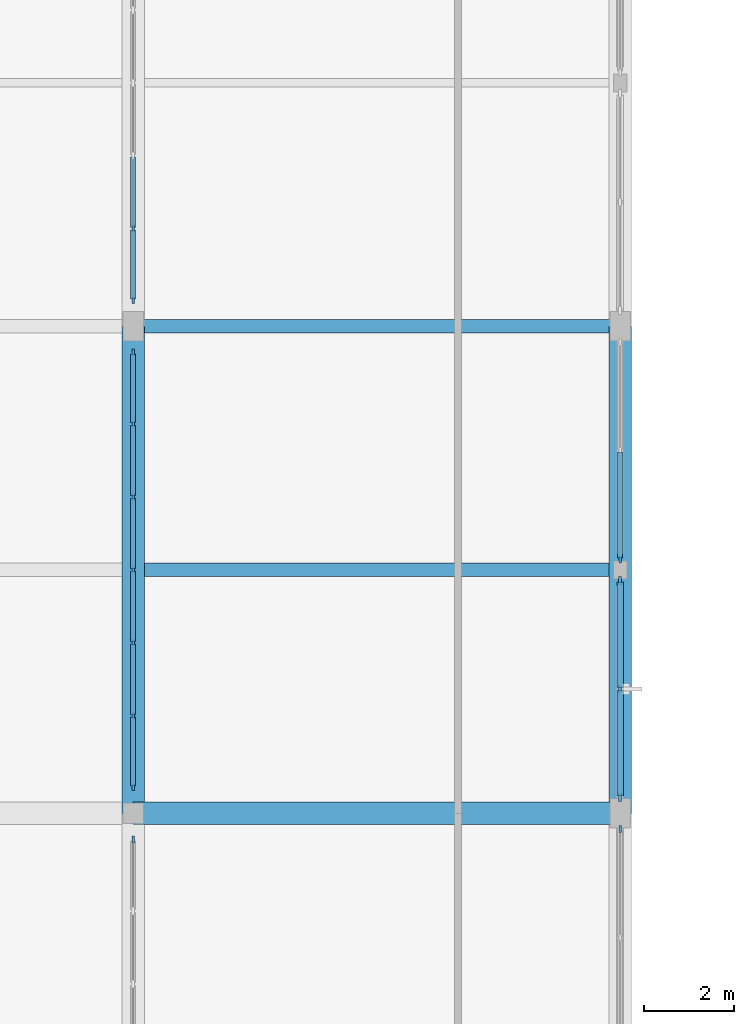
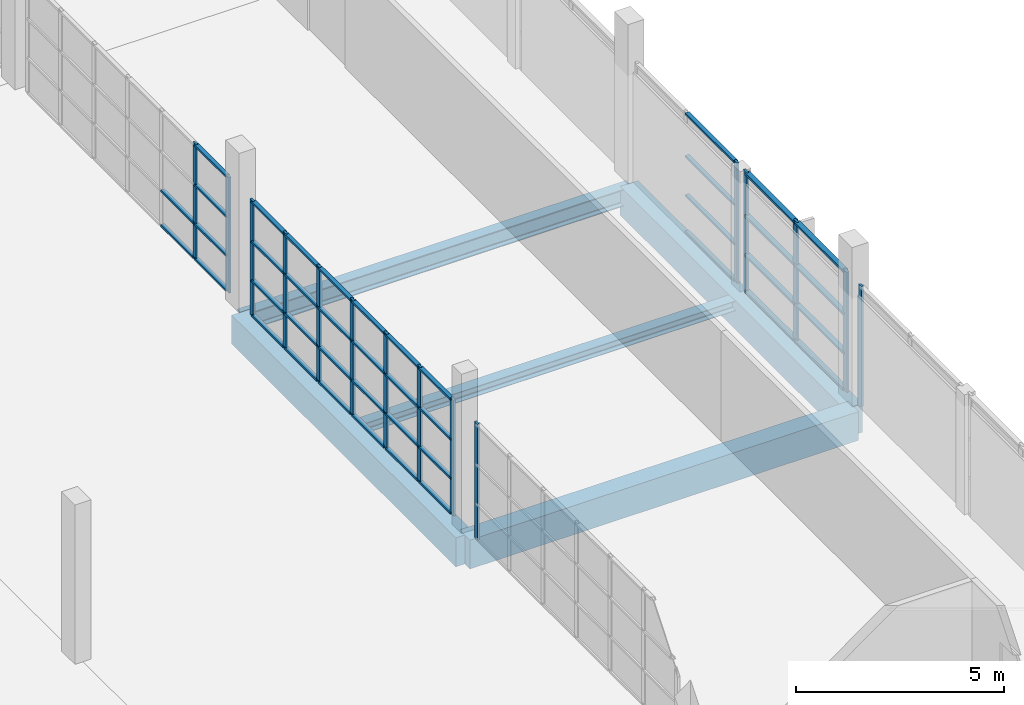
# One storey, part 18 of 142: 57 members, 5 beams, 6 elements without a shape of their own.
"""IFC4 building model written with IfcOpenShell, lengths in metres."""

import ifcopenshell
import ifcopenshell.guid

model = None  # the IFC model being written
_history = None  # IfcOwnerHistory: only IFC2X3 demands one
_inside = {}  # id of a spatial element -> (the spatial element, [elements in it])
_under = {}  # id of a project, library or spatial element -> (it, [spatial elements below it])
_declared = {}  # id of a project -> (the project, [libraries it declares])
_typed = {}  # id of a type object -> (the type object, [elements of that type])
_made_of = {}  # id of a material, layer set ... -> (it, [elements and type objects made of it])


def new_model(schema):
    """Start an empty IFC model of exactly this schema.

    Asked for "IFC4X3", IfcOpenShell would pick the latest addendum, in which some entities
    have other attributes; the version numbers below select the first issue.
    IFC2X3 requires an IfcOwnerHistory on every rooted entity: one is made here for all.
    """
    global model, _history
    if schema == "IFC4X3":
        model = ifcopenshell.file(schema_version=(4, 3, 0, 0))
    else:
        model = ifcopenshell.file(schema=schema)
    _inside.clear()
    _under.clear()
    _declared.clear()
    _typed.clear()
    _made_of.clear()
    _history = None
    if model.schema == "IFC2X3":
        org = make("IfcOrganization", Name="unknown")
        user = make(
            "IfcPersonAndOrganization",
            ThePerson=make("IfcPerson", FamilyName="unknown"),
            TheOrganization=org,
        )
        app = make(
            "IfcApplication",
            ApplicationDeveloper=org,
            Version="unknown",
            ApplicationFullName="unknown",
            ApplicationIdentifier="unknown",
        )
        _history = make(
            "IfcOwnerHistory",
            OwningUser=user,
            OwningApplication=app,
            ChangeAction="ADDED",
            CreationDate=0,
        )
    return model


def make(cls, **values):
    """One entity of the class cls with the attributes given. An attribute that is None is left unset."""
    return model.create_entity(
        cls, **{name: value for name, value in values.items() if value is not None}
    )


def rooted(cls, **values):
    """An entity with a GlobalId (a new one), such as an element, a storey or a relation."""
    return make(cls, GlobalId=ifcopenshell.guid.new(), OwnerHistory=_history, **values)


def si_unit(unit_type, name, prefix=None):
    """IfcSIUnit, for example si_unit("LENGTHUNIT", "METRE", prefix="MILLI")."""
    return make("IfcSIUnit", UnitType=unit_type, Prefix=prefix, Name=name)


def assignment(units):
    """IfcUnitAssignment: the units of a project."""
    return None if units is None else make("IfcUnitAssignment", Units=units)


def point(xyz):
    """IfcCartesianPoint."""
    return None if xyz is None else make("IfcCartesianPoint", Coordinates=xyz)


def direction(xyz):
    """IfcDirection."""
    return None if xyz is None else make("IfcDirection", DirectionRatios=xyz)


def frame(location, z_axis=None, x_axis=None):
    """IfcAxis2Placement3D, a coordinate frame: its origin and axes. An axis left out is left unset."""
    return make(
        "IfcAxis2Placement3D",
        Location=point(location),
        Axis=direction(z_axis),
        RefDirection=direction(x_axis),
    )


def frame_2d(location, x_axis=None):
    """IfcAxis2Placement2D, a coordinate frame in the plane: its origin and x axis."""
    return make(
        "IfcAxis2Placement2D", Location=point(location), RefDirection=direction(x_axis)
    )


def origin():
    """The frame at (0, 0, 0) with its axes left unset."""
    return frame((0.0, 0.0, 0.0))


def origin_2d():
    """The frame at (0, 0) in the plane with its x axis left unset."""
    return frame_2d((0.0, 0.0))


def place(relative_to, where):
    """IfcLocalPlacement: puts the frame where relative to a parent placement (None: the world)."""
    return make(
        "IfcLocalPlacement", PlacementRelTo=relative_to, RelativePlacement=where
    )


def context(
    kind, dimensions, precision=None, world=None, true_north=None, identifier=None
):
    """IfcGeometricRepresentationContext, for example the 3D "Model" context."""
    return make(
        "IfcGeometricRepresentationContext",
        ContextIdentifier=identifier,
        ContextType=kind,
        CoordinateSpaceDimension=dimensions,
        Precision=precision,
        WorldCoordinateSystem=world,
        TrueNorth=true_north,
    )


def subcontext(parent, identifier, kind, view, scale=None):
    """IfcGeometricRepresentationSubContext, for example "Body" below "Model"."""
    return make(
        "IfcGeometricRepresentationSubContext",
        ContextIdentifier=identifier,
        ContextType=kind,
        ParentContext=parent,
        TargetScale=scale,
        TargetView=view,
    )


def project(units=None, contexts=None):
    """IfcProject with its units and contexts."""
    return rooted(
        "IfcProject",
        Name="project",
        RepresentationContexts=contexts,
        UnitsInContext=assignment(units),
    )


def spatial(cls, under=None, at=None, **own):
    """A site, building, storey or space (cls), placed at a placement, below another one or the project."""
    s = rooted(cls, ObjectPlacement=at, **own)
    if under is not None:
        _under.setdefault(under.id(), (under, []))[1].append(s)
    return s


def profile(cls, at=None, kind="AREA", **sizes):
    """A parametric profile (cls). Its sizes go by their IFC names, for example OverallWidth=200.0."""
    return make(cls, ProfileType=kind, Position=at, **sizes)


def rectangle(**sizes):
    """IfcRectangleProfileDef."""
    return profile("IfcRectangleProfileDef", **sizes)


def i_section(**sizes):
    """IfcIShapeProfileDef."""
    return profile("IfcIShapeProfileDef", **sizes)


def extrude(swept, where, along, depth):
    """IfcExtrudedAreaSolid: the profile swept, set in the frame where, extruded along a direction by depth."""
    return make(
        "IfcExtrudedAreaSolid",
        SweptArea=swept,
        Position=where,
        ExtrudedDirection=direction(along),
        Depth=depth,
    )


def shape(context_of_items, identifier, shape_type, items):
    """IfcShapeRepresentation: the items that make up one representation, for example the "Body"."""
    return make(
        "IfcShapeRepresentation",
        ContextOfItems=context_of_items,
        RepresentationIdentifier=identifier,
        RepresentationType=shape_type,
        Items=items,
    )


def material(Name=None, Category=None):
    """IfcMaterial."""
    return make("IfcMaterial", Name=Name, Category=Category)


def material_profile(
    of_material, cross_section, Name=None, Category=None, Priority=None
):
    """IfcMaterialProfile: a cross section and its material."""
    return make(
        "IfcMaterialProfile",
        Name=Name,
        Material=of_material,
        Profile=cross_section,
        Priority=Priority,
        Category=Category,
    )


def profile_set(profiles, Name=None, composite=None):
    """IfcMaterialProfileSet."""
    return make(
        "IfcMaterialProfileSet",
        Name=Name,
        MaterialProfiles=profiles,
        CompositeProfile=composite,
    )


def made_of(thing, what):
    """Note that an element or type object is made of a material, layer set ...; save() writes the relation."""
    if what is not None:
        _made_of.setdefault(what.id(), (what, []))[1].append(thing)
    return thing


def type_object(cls, material=None, **own):
    """A type object (cls), such as IfcWallType, which elements share."""
    return made_of(rooted(cls, **own), material)


def element(
    cls,
    number,
    at=None,
    inside=None,
    cuts=None,
    type_object=None,
    material=None,
    context=None,
    identifier="Body",
    shape_type=None,
    held_by="IfcProductDefinitionShape",
    body=None,
    shapes=None,
    **own,
):
    """One element of the class cls, such as IfcWall. Its Tag is "e" and its number.

    at: its placement. inside: the storey or other place that contains it. cuts: it is an
    opening in that element (IfcRelVoidsElement). A single representation is given by context,
    identifier, shape_type and body (its items); several are given by shapes. held_by: the class
    of the entity that holds the representations. save() writes the other relations.
    """
    e = rooted(cls, Tag="e%d" % number, ObjectPlacement=at, **own)
    if body is not None:
        shapes = [shape(context, identifier, shape_type, body)]
    if shapes is not None:
        e.Representation = make(held_by, Representations=shapes)
    if inside is not None:
        _inside.setdefault(inside.id(), (inside, []))[1].append(e)
    if cuts is not None:
        rooted(
            "IfcRelVoidsElement", RelatingBuildingElement=cuts, RelatedOpeningElement=e
        )
    if type_object is not None:
        _typed.setdefault(type_object.id(), (type_object, []))[1].append(e)
    return made_of(e, material)


def aggregate(whole, parts):
    """IfcRelAggregates: a whole, such as a stair, and the parts it consists of."""
    return rooted("IfcRelAggregates", RelatingObject=whole, RelatedObjects=parts)


def save(model, path):
    """Write the relations noted so far, then the file.

    IfcRelAggregates (storeys below a building ...), IfcRelContainedInSpatialStructure (elements
    in a storey), IfcRelDefinesByType, IfcRelAssociatesMaterial and IfcRelDeclares: one each for
    every whole, place, type object, material and project.
    """
    for whole, parts in _under.values():
        aggregate(whole, parts)
    for where, things in _inside.values():
        rooted(
            "IfcRelContainedInSpatialStructure",
            RelatedElements=things,
            RelatingStructure=where,
        )
    for kind, things in _typed.values():
        rooted("IfcRelDefinesByType", RelatedObjects=things, RelatingType=kind)
    for what, things in _made_of.values():
        rooted("IfcRelAssociatesMaterial", RelatedObjects=things, RelatingMaterial=what)
    for by, libraries in _declared.values():
        rooted("IfcRelDeclares", RelatingContext=by, RelatedDefinitions=libraries)
    model.write(path)


model = new_model("IFC4")

# Units and contexts
model_context = context("Model", 3, precision=1e-05, world=origin(), true_north=direction((0.0, 1.0)))
body_context = subcontext(model_context, "Body", "Model", "MODEL_VIEW")
ifc_project = project(units=[si_unit("LENGTHUNIT", "METRE"), si_unit("AREAUNIT", "SQUARE_METRE"), si_unit("VOLUMEUNIT", "CUBIC_METRE"), si_unit("PLANEANGLEUNIT", "RADIAN"), si_unit("MASSUNIT", "GRAM", prefix="KILO")], contexts=[model_context])

# Site, building, storey
site_placement = place(None, origin())
site = spatial("IfcSite", under=ifc_project, at=site_placement, CompositionType="ELEMENT")
building_placement = place(site_placement, origin())
building = spatial("IfcBuilding", under=site, at=building_placement, Name="Zwinboog Wholesale Market", CompositionType="ELEMENT")
storey_placement = place(building_placement, frame((0.0, 0.0, 5.39990234375)))
storey = spatial("IfcBuildingStorey", under=building, at=storey_placement, Name="L01", CompositionType="ELEMENT", Elevation=5.39990234375)

# Beams
ifc_material_1 = material(Name="Precast concrete C45/55", Category="concrete")
ifc_material_profile_1 = material_profile(ifc_material_1, rectangle(XDim=0.5, YDim=0.85009765625, at=origin_2d()), Name="PC 500x850")
ifc_profile_set_1 = profile_set([ifc_material_profile_1], Name="Precast concrete C45/55")
beam_type_1 = type_object("IfcBeamType", Name="BT-03", PredefinedType="BEAM", material=ifc_profile_set_1)
for number, where, z_axis, x_axis, name in (
    (1, (32.39990234375, 32.39990234375, -0.679931640625), (1.0, 0.0, 0.0), (0.0, 1.0, 0.0), "BG-03 (BMG-L01-0324-0324-0452)"),
    (2, (32.39990234375, 32.39990234375, -0.679931640625), (0.0, 1.0, 0.0), (-1.0, 0.0, 0.0), "BG-03 (BMG-L01-0324-0324-0638)"),
    (3, (43.199951171875, 32.39990234375, -0.679931640625), (0.0, 1.0, 0.0), (-1.0, 0.0, 0.0), "BG-03 (BMG-L01-0432-0324-0650)"),
):
    element("IfcBeam", number, at=place(storey_placement, frame(where, z_axis=z_axis, x_axis=x_axis)), inside=storey, type_object=beam_type_1, Name=name, PredefinedType="BEAM", context=body_context, shape_type="SweptSolid", body=[
        extrude(rectangle(XDim=0.5, YDim=0.85009765625, at=origin_2d()), origin(), (0.0, 0.0, 1.0), 10.800048828125),
    ])
ifc_material_2 = material(Name="Steel S355", Category="steel")
ifc_material_profile_2 = material_profile(ifc_material_2, i_section(OverallWidth=0.300048828125, OverallDepth=0.5, WebThickness=0.014404296875, FlangeThickness=0.028076171875, FilletRadius=0.027099609375, at=origin_2d()), Name="HEB 500")
ifc_profile_set_2 = profile_set([ifc_material_profile_2], Name="Steel S355")
beam_type_2 = type_object("IfcBeamType", Name="BT-14", PredefinedType="BEAM", material=ifc_profile_set_2)
beam_1_placement = place(storey_placement, frame((32.39990234375, 43.199951171875, -0.5048828125), z_axis=(1.0, 0.0, 0.0), x_axis=(0.0, 1.0, 0.0)))
element("IfcBeam", 4, at=beam_1_placement, inside=storey, type_object=beam_type_2, Name="SB-01 (BMG-L01-0324-0432-0464)", PredefinedType="BEAM", context=body_context, shape_type="SweptSolid", body=[
    extrude(i_section(OverallWidth=0.300048828125, OverallDepth=0.5, WebThickness=0.014404296875, FlangeThickness=0.028076171875, FilletRadius=0.027099609375, at=origin_2d()), origin(), (0.0, 0.0, 1.0), 10.800048828125),
])
ifc_material_profile_3 = material_profile(ifc_material_2, i_section(OverallWidth=0.300048828125, OverallDepth=0.2900390625, WebThickness=0.008544921875, FlangeThickness=0.013916015625, FilletRadius=0.027099609375, at=origin_2d()), Name="HEA 300")
ifc_profile_set_3 = profile_set([ifc_material_profile_3], Name="Steel S355")
beam_type_3 = type_object("IfcBeamType", Name="BT-18", PredefinedType="JOIST", material=ifc_profile_set_3)
beam_2_placement = place(storey_placement, frame((32.64990234375, 37.800048828125, -0.39990234375), z_axis=(1.0, 0.0, 0.0), x_axis=(0.0, 1.0, 0.0)))
element("IfcBeam", 5, at=beam_2_placement, inside=storey, type_object=beam_type_3, Name="SJ-01 (BMG-L01-0326-0378-0792)", PredefinedType="JOIST", context=body_context, shape_type="SweptSolid", body=[
    extrude(i_section(OverallWidth=0.300048828125, OverallDepth=0.2900390625, WebThickness=0.008544921875, FlangeThickness=0.013916015625, FilletRadius=0.027099609375, at=origin_2d()), origin(), (0.0, 0.0, 1.0), 10.300048828125),
])

# Curtain wall, members
ifc_material_3 = material(Name="Aluminium thermally broken curtain wall", Category="aluminium")
curtain_wall_type_1 = type_object("IfcCurtainWallType", Name="CWT-HALL-24", PredefinedType="USERDEFINED", material=ifc_material_3)
curtain_wall_1_placement = place(storey_placement, origin())
curtain_wall_1 = element("IfcCurtainWall", 6, at=curtain_wall_1_placement, inside=storey, type_object=curtain_wall_type_1, Name="CW-03 (CW-L01-075)", ObjectType="UNITIZED_CURTAIN_WALL", PredefinedType="USERDEFINED")
ifc_material_4 = material(Name="Aluminium EN AW-6060", Category="aluminium")
ifc_material_profile_4 = material_profile(ifc_material_4, rectangle(XDim=0.06494140625, YDim=0.179931640625, at=origin_2d()), Name="AL 65x180")
ifc_profile_set_4 = profile_set([ifc_material_profile_4], Name="Aluminium EN AW-6060")
member_type_1 = type_object("IfcMemberType", Name="CWM-65x180", PredefinedType="MULLION", material=ifc_profile_set_4)
member_1_placement = place(storey_placement, frame((43.199951171875, 32.75244140625, 0.0), z_axis=(0.0, 0.0, 1.0), x_axis=(-1.0, 0.0, 0.0)))
member_1 = element("IfcMember", 7, at=member_1_placement, type_object=member_type_1, Name="CW-03 mullion 1", PredefinedType="MULLION", context=body_context, shape_type="SweptSolid", body=[
    extrude(rectangle(XDim=0.06494140625, YDim=0.179931640625, at=origin_2d()), origin(), (0.0, 0.0, 1.0), 3.530029296875),
])
member_2_placement = place(storey_placement, frame((43.199951171875, 35.159912109375, 0.0), z_axis=(0.0, 0.0, 1.0), x_axis=(-1.0, 0.0, 0.0)))
member_2 = element("IfcMember", 8, at=member_2_placement, type_object=member_type_1, Name="CW-03 mullion 2", PredefinedType="MULLION", context=body_context, shape_type="SweptSolid", body=[
    extrude(rectangle(XDim=0.06494140625, YDim=0.179931640625, at=origin_2d()), origin(), (0.0, 0.0, 1.0), 3.530029296875),
])
member_3_placement = place(storey_placement, frame((43.199951171875, 37.5673828125, 0.0), z_axis=(0.0, 0.0, 1.0), x_axis=(-1.0, 0.0, 0.0)))
member_3 = element("IfcMember", 9, at=member_3_placement, type_object=member_type_1, Name="CW-03 mullion 3", PredefinedType="MULLION", context=body_context, shape_type="SweptSolid", body=[
    extrude(rectangle(XDim=0.06494140625, YDim=0.179931640625, at=origin_2d()), origin(), (0.0, 0.0, 1.0), 3.530029296875),
])

# Curtain wall, member
curtain_wall_type_2 = type_object("IfcCurtainWallType", Name="CWT-STALL-20", PredefinedType="USERDEFINED", material=ifc_material_3)
curtain_wall_2_placement = place(storey_placement, origin())
curtain_wall_2 = element("IfcCurtainWall", 10, at=curtain_wall_2_placement, inside=storey, type_object=curtain_wall_type_2, Name="CW-02 (CW-L01-074)", ObjectType="STOREFRONT_GLAZING", PredefinedType="USERDEFINED")
ifc_material_profile_5 = material_profile(ifc_material_4, rectangle(XDim=0.06005859375, YDim=0.14990234375, at=origin_2d()), Name="AL 60x150")
ifc_profile_set_5 = profile_set([ifc_material_profile_5], Name="Aluminium EN AW-6060")
member_type_2 = type_object("IfcMemberType", Name="CWM-60x150", PredefinedType="MULLION", material=ifc_profile_set_5)
member_4_placement = place(storey_placement, frame((43.199951171875, 32.050048828125, 0.0), z_axis=(0.0, 0.0, 1.0), x_axis=(-1.0, 0.0, 0.0)))
member_4 = element("IfcMember", 11, at=member_4_placement, type_object=member_type_2, Name="CW-02 mullion 3", PredefinedType="MULLION", context=body_context, shape_type="SweptSolid", body=[
    extrude(rectangle(XDim=0.06005859375, YDim=0.14990234375, at=origin_2d()), origin(), (0.0, 0.0, 1.0), 3.530029296875),
])
aggregate(curtain_wall_2, [member_4])

curtain_wall_type_3 = type_object("IfcCurtainWallType", Name="CWT-GAL-16", PredefinedType="USERDEFINED", material=ifc_material_3)
curtain_wall_3_placement = place(storey_placement, origin())
curtain_wall_3 = element("IfcCurtainWall", 12, at=curtain_wall_3_placement, inside=storey, type_object=curtain_wall_type_3, Name="CW-04 (CW-L01-076)", ObjectType="UNITIZED_CURTAIN_WALL", PredefinedType="USERDEFINED")
member_5_placement = place(storey_placement, frame((43.199951171875, 38.030029296875, 0.0), z_axis=(0.0, 0.0, 1.0), x_axis=(-1.0, 0.0, 0.0)))
member_5 = element("IfcMember", 13, at=member_5_placement, type_object=member_type_2, Name="CW-04 mullion 1", PredefinedType="MULLION", context=body_context, shape_type="SweptSolid", body=[
    extrude(rectangle(XDim=0.06005859375, YDim=0.14990234375, at=origin_2d()), origin(), (0.0, 0.0, 1.0), 3.530029296875),
])

# Member
ifc_material_profile_6 = material_profile(ifc_material_4, rectangle(XDim=0.139892578125, YDim=0.06494140625, at=origin_2d()), Name="AL 65x140")
ifc_profile_set_6 = profile_set([ifc_material_profile_6], Name="Aluminium EN AW-6060")
member_type_3 = type_object("IfcMemberType", Name="CWT-65x140", PredefinedType="USERDEFINED", material=ifc_profile_set_6)
member_6_placement = place(storey_placement, frame((43.199951171875, 32.784912109375, 0.03271484375), z_axis=(0.0, 1.0, 0.0), x_axis=(-1.0, 0.0, 0.0)))
member_6 = element("IfcMember", 14, at=member_6_placement, type_object=member_type_3, Name="CW-03 transom 1.1", ObjectType="TRANSOM", PredefinedType="USERDEFINED", context=body_context, shape_type="SweptSolid", body=[
    extrude(rectangle(XDim=0.139892578125, YDim=0.06494140625, at=origin_2d()), origin(), (0.0, 0.0, 1.0), 2.342529296875),
])

member_7_placement = place(storey_placement, frame((43.199951171875, 32.784912109375, 1.10009765625), z_axis=(0.0, 1.0, 0.0), x_axis=(-1.0, 0.0, 0.0)))
member_7 = element("IfcMember", 15, at=member_7_placement, type_object=member_type_3, Name="CW-03 transom 1.2", ObjectType="TRANSOM", PredefinedType="USERDEFINED", context=body_context, shape_type="SweptSolid", body=[
    extrude(rectangle(XDim=0.139892578125, YDim=0.06494140625, at=origin_2d()), origin(), (0.0, 0.0, 1.0), 2.342529296875),
])

member_8_placement = place(storey_placement, frame((43.199951171875, 32.784912109375, 2.25), z_axis=(0.0, 1.0, 0.0), x_axis=(-1.0, 0.0, 0.0)))
member_8 = element("IfcMember", 16, at=member_8_placement, type_object=member_type_3, Name="CW-03 transom 1.3", ObjectType="TRANSOM", PredefinedType="USERDEFINED", context=body_context, shape_type="SweptSolid", body=[
    extrude(rectangle(XDim=0.139892578125, YDim=0.06494140625, at=origin_2d()), origin(), (0.0, 0.0, 1.0), 2.342529296875),
])

member_9_placement = place(storey_placement, frame((43.199951171875, 32.784912109375, 3.49755859375), z_axis=(0.0, 1.0, 0.0), x_axis=(-1.0, 0.0, 0.0)))
member_9 = element("IfcMember", 17, at=member_9_placement, type_object=member_type_3, Name="CW-03 transom 1.4", ObjectType="TRANSOM", PredefinedType="USERDEFINED", context=body_context, shape_type="SweptSolid", body=[
    extrude(rectangle(XDim=0.139892578125, YDim=0.06494140625, at=origin_2d()), origin(), (0.0, 0.0, 1.0), 2.342529296875),
])

member_10_placement = place(storey_placement, frame((43.199951171875, 35.1923828125, 0.03271484375), z_axis=(0.0, 1.0, 0.0), x_axis=(-1.0, 0.0, 0.0)))
member_10 = element("IfcMember", 18, at=member_10_placement, type_object=member_type_3, Name="CW-03 transom 2.1", ObjectType="TRANSOM", PredefinedType="USERDEFINED", context=body_context, shape_type="SweptSolid", body=[
    extrude(rectangle(XDim=0.139892578125, YDim=0.06494140625, at=origin_2d()), origin(), (0.0, 0.0, 1.0), 2.342529296875),
])

member_11_placement = place(storey_placement, frame((43.199951171875, 35.1923828125, 1.10009765625), z_axis=(0.0, 1.0, 0.0), x_axis=(-1.0, 0.0, 0.0)))
member_11 = element("IfcMember", 19, at=member_11_placement, type_object=member_type_3, Name="CW-03 transom 2.2", ObjectType="TRANSOM", PredefinedType="USERDEFINED", context=body_context, shape_type="SweptSolid", body=[
    extrude(rectangle(XDim=0.139892578125, YDim=0.06494140625, at=origin_2d()), origin(), (0.0, 0.0, 1.0), 2.342529296875),
])

member_12_placement = place(storey_placement, frame((43.199951171875, 35.1923828125, 2.25), z_axis=(0.0, 1.0, 0.0), x_axis=(-1.0, 0.0, 0.0)))
member_12 = element("IfcMember", 20, at=member_12_placement, type_object=member_type_3, Name="CW-03 transom 2.3", ObjectType="TRANSOM", PredefinedType="USERDEFINED", context=body_context, shape_type="SweptSolid", body=[
    extrude(rectangle(XDim=0.139892578125, YDim=0.06494140625, at=origin_2d()), origin(), (0.0, 0.0, 1.0), 2.342529296875),
])

member_13_placement = place(storey_placement, frame((43.199951171875, 35.1923828125, 3.49755859375), z_axis=(0.0, 1.0, 0.0), x_axis=(-1.0, 0.0, 0.0)))
member_13 = element("IfcMember", 21, at=member_13_placement, type_object=member_type_3, Name="CW-03 transom 2.4", ObjectType="TRANSOM", PredefinedType="USERDEFINED", context=body_context, shape_type="SweptSolid", body=[
    extrude(rectangle(XDim=0.139892578125, YDim=0.06494140625, at=origin_2d()), origin(), (0.0, 0.0, 1.0), 2.342529296875),
])

aggregate(curtain_wall_1, [member_1, member_2, member_3, member_6, member_7, member_8, member_9, member_10, member_11, member_12, member_13])

ifc_material_profile_7 = material_profile(ifc_material_4, rectangle(XDim=0.110107421875, YDim=0.06005859375, at=origin_2d()), Name="AL 60x110")
ifc_profile_set_7 = profile_set([ifc_material_profile_7], Name="Aluminium EN AW-6060")
member_type_4 = type_object("IfcMemberType", Name="CWT-60x110", PredefinedType="USERDEFINED", material=ifc_profile_set_7)
member_14_placement = place(storey_placement, frame((43.199951171875, 38.06005859375, 0.030029296875), z_axis=(0.0, 1.0, 0.0), x_axis=(-1.0, 0.0, 0.0)))
member_14 = element("IfcMember", 22, at=member_14_placement, type_object=member_type_4, Name="CW-04 transom 1.1", ObjectType="TRANSOM", PredefinedType="USERDEFINED", context=body_context, shape_type="SweptSolid", body=[
    extrude(rectangle(XDim=0.110107421875, YDim=0.06005859375, at=origin_2d()), origin(), (0.0, 0.0, 1.0), 2.349853515625),
])

member_15_placement = place(storey_placement, frame((43.199951171875, 38.06005859375, 1.10009765625), z_axis=(0.0, 1.0, 0.0), x_axis=(-1.0, 0.0, 0.0)))
member_15 = element("IfcMember", 23, at=member_15_placement, type_object=member_type_4, Name="CW-04 transom 1.2", ObjectType="TRANSOM", PredefinedType="USERDEFINED", context=body_context, shape_type="SweptSolid", body=[
    extrude(rectangle(XDim=0.110107421875, YDim=0.06005859375, at=origin_2d()), origin(), (0.0, 0.0, 1.0), 2.349853515625),
])

member_16_placement = place(storey_placement, frame((43.199951171875, 38.06005859375, 2.25), z_axis=(0.0, 1.0, 0.0), x_axis=(-1.0, 0.0, 0.0)))
member_16 = element("IfcMember", 24, at=member_16_placement, type_object=member_type_4, Name="CW-04 transom 1.3", ObjectType="TRANSOM", PredefinedType="USERDEFINED", context=body_context, shape_type="SweptSolid", body=[
    extrude(rectangle(XDim=0.110107421875, YDim=0.06005859375, at=origin_2d()), origin(), (0.0, 0.0, 1.0), 2.349853515625),
])

member_17_placement = place(storey_placement, frame((43.199951171875, 38.06005859375, 3.5), z_axis=(0.0, 1.0, 0.0), x_axis=(-1.0, 0.0, 0.0)))
member_17 = element("IfcMember", 25, at=member_17_placement, type_object=member_type_4, Name="CW-04 transom 1.4", ObjectType="TRANSOM", PredefinedType="USERDEFINED", context=body_context, shape_type="SweptSolid", body=[
    extrude(rectangle(XDim=0.110107421875, YDim=0.06005859375, at=origin_2d()), origin(), (0.0, 0.0, 1.0), 2.349853515625),
])

aggregate(curtain_wall_3, [member_5, member_14, member_15, member_16, member_17])

# Curtain wall, member
curtain_wall_type_4 = type_object("IfcCurtainWallType", Name="CWT-INT-STALL", PredefinedType="USERDEFINED", material=ifc_material_3)
curtain_wall_4_placement = place(storey_placement, origin())
curtain_wall_4 = element("IfcCurtainWall", 26, at=curtain_wall_4_placement, inside=storey, type_object=curtain_wall_type_4, Name="CW-07 (CW-STL-265)", ObjectType="STOREFRONT_GLAZING", PredefinedType="USERDEFINED")
ifc_material_profile_8 = material_profile(ifc_material_4, rectangle(XDim=0.06005859375, YDim=0.14990234375, at=origin_2d()), Name="AL 60x150")
ifc_profile_set_8 = profile_set([ifc_material_profile_8], Name="Aluminium EN AW-6060")
member_type_5 = type_object("IfcMemberType", Name="CWM-INT-60x120", PredefinedType="MULLION", material=ifc_profile_set_8)
member_18_placement = place(storey_placement, frame((32.39990234375, 31.820068359375, 0.0), z_axis=(0.0, 0.0, 1.0), x_axis=(-1.0, 0.0, 0.0)))
member_18 = element("IfcMember", 27, at=member_18_placement, type_object=member_type_5, Name="CW-07 mullion 7", PredefinedType="MULLION", context=body_context, shape_type="SweptSolid", body=[
    extrude(rectangle(XDim=0.06005859375, YDim=0.14990234375, at=origin_2d()), origin(), (0.0, 0.0, 1.0), 3.400146484375),
])
aggregate(curtain_wall_4, [member_18])

# Curtain wall, members
curtain_wall_5_placement = place(storey_placement, origin())
curtain_wall_5 = element("IfcCurtainWall", 28, at=curtain_wall_5_placement, inside=storey, type_object=curtain_wall_type_4, Name="CW-07 (CW-STL-266)", ObjectType="STOREFRONT_GLAZING", PredefinedType="USERDEFINED")
member_19_placement = place(storey_placement, frame((32.39990234375, 32.97998046875, 0.0), z_axis=(0.0, 0.0, 1.0), x_axis=(-1.0, 0.0, 0.0)))
member_19 = element("IfcMember", 29, at=member_19_placement, type_object=member_type_5, Name="CW-07 mullion 1", PredefinedType="MULLION", context=body_context, shape_type="SweptSolid", body=[
    extrude(rectangle(XDim=0.06005859375, YDim=0.14990234375, at=origin_2d()), origin(), (0.0, 0.0, 1.0), 3.400146484375),
])
member_20_placement = place(storey_placement, frame((32.39990234375, 34.566650390625, 0.0), z_axis=(0.0, 0.0, 1.0), x_axis=(-1.0, 0.0, 0.0)))
member_20 = element("IfcMember", 30, at=member_20_placement, type_object=member_type_5, Name="CW-07 mullion 2", PredefinedType="MULLION", context=body_context, shape_type="SweptSolid", body=[
    extrude(rectangle(XDim=0.06005859375, YDim=0.14990234375, at=origin_2d()), origin(), (0.0, 0.0, 1.0), 3.400146484375),
])
member_21_placement = place(storey_placement, frame((32.39990234375, 36.183349609375, 0.0), z_axis=(0.0, 0.0, 1.0), x_axis=(-1.0, 0.0, 0.0)))
member_21 = element("IfcMember", 31, at=member_21_placement, type_object=member_type_5, Name="CW-07 mullion 3", PredefinedType="MULLION", context=body_context, shape_type="SweptSolid", body=[
    extrude(rectangle(XDim=0.06005859375, YDim=0.14990234375, at=origin_2d()), origin(), (0.0, 0.0, 1.0), 3.400146484375),
])
member_22_placement = place(storey_placement, frame((32.39990234375, 37.800048828125, 0.0), z_axis=(0.0, 0.0, 1.0), x_axis=(-1.0, 0.0, 0.0)))
member_22 = element("IfcMember", 32, at=member_22_placement, type_object=member_type_5, Name="CW-07 mullion 4", PredefinedType="MULLION", context=body_context, shape_type="SweptSolid", body=[
    extrude(rectangle(XDim=0.06005859375, YDim=0.14990234375, at=origin_2d()), origin(), (0.0, 0.0, 1.0), 3.400146484375),
])
member_23_placement = place(storey_placement, frame((32.39990234375, 39.416748046875, 0.0), z_axis=(0.0, 0.0, 1.0), x_axis=(-1.0, 0.0, 0.0)))
member_23 = element("IfcMember", 33, at=member_23_placement, type_object=member_type_5, Name="CW-07 mullion 5", PredefinedType="MULLION", context=body_context, shape_type="SweptSolid", body=[
    extrude(rectangle(XDim=0.06005859375, YDim=0.14990234375, at=origin_2d()), origin(), (0.0, 0.0, 1.0), 3.400146484375),
])
member_24_placement = place(storey_placement, frame((32.39990234375, 41.033447265625, 0.0), z_axis=(0.0, 0.0, 1.0), x_axis=(-1.0, 0.0, 0.0)))
member_24 = element("IfcMember", 34, at=member_24_placement, type_object=member_type_5, Name="CW-07 mullion 6", PredefinedType="MULLION", context=body_context, shape_type="SweptSolid", body=[
    extrude(rectangle(XDim=0.06005859375, YDim=0.14990234375, at=origin_2d()), origin(), (0.0, 0.0, 1.0), 3.400146484375),
])
member_25_placement = place(storey_placement, frame((32.39990234375, 42.6201171875, 0.0), z_axis=(0.0, 0.0, 1.0), x_axis=(-1.0, 0.0, 0.0)))
member_25 = element("IfcMember", 35, at=member_25_placement, type_object=member_type_5, Name="CW-07 mullion 7", PredefinedType="MULLION", context=body_context, shape_type="SweptSolid", body=[
    extrude(rectangle(XDim=0.06005859375, YDim=0.14990234375, at=origin_2d()), origin(), (0.0, 0.0, 1.0), 3.400146484375),
])

curtain_wall_6_placement = place(storey_placement, origin())
curtain_wall_6 = element("IfcCurtainWall", 36, at=curtain_wall_6_placement, inside=storey, type_object=curtain_wall_type_4, Name="CW-07 (CW-STL-267)", ObjectType="STOREFRONT_GLAZING", PredefinedType="USERDEFINED")
member_26_placement = place(storey_placement, frame((32.39990234375, 43.780029296875, 0.0), z_axis=(0.0, 0.0, 1.0), x_axis=(-1.0, 0.0, 0.0)))
member_26 = element("IfcMember", 37, at=member_26_placement, type_object=member_type_5, Name="CW-07 mullion 1", PredefinedType="MULLION", context=body_context, shape_type="SweptSolid", body=[
    extrude(rectangle(XDim=0.06005859375, YDim=0.14990234375, at=origin_2d()), origin(), (0.0, 0.0, 1.0), 3.400146484375),
])
member_27_placement = place(storey_placement, frame((32.39990234375, 45.36669921875, 0.0), z_axis=(0.0, 0.0, 1.0), x_axis=(-1.0, 0.0, 0.0)))
member_27 = element("IfcMember", 38, at=member_27_placement, type_object=member_type_5, Name="CW-07 mullion 2", PredefinedType="MULLION", context=body_context, shape_type="SweptSolid", body=[
    extrude(rectangle(XDim=0.06005859375, YDim=0.14990234375, at=origin_2d()), origin(), (0.0, 0.0, 1.0), 3.400146484375),
])

# Member
ifc_material_profile_9 = material_profile(ifc_material_4, rectangle(XDim=0.110107421875, YDim=0.06005859375, at=origin_2d()), Name="AL 60x110")
ifc_profile_set_9 = profile_set([ifc_material_profile_9], Name="Aluminium EN AW-6060")
member_type_6 = type_object("IfcMemberType", Name="CWT-INT-60x100", PredefinedType="USERDEFINED", material=ifc_profile_set_9)
member_28_placement = place(storey_placement, frame((32.39990234375, 33.010009765625, 0.030029296875), z_axis=(0.0, 1.0, 0.0), x_axis=(-1.0, 0.0, 0.0)))
member_28 = element("IfcMember", 39, at=member_28_placement, type_object=member_type_6, Name="CW-07 transom 1.1", ObjectType="TRANSOM", PredefinedType="USERDEFINED", context=body_context, shape_type="SweptSolid", body=[
    extrude(rectangle(XDim=0.110107421875, YDim=0.06005859375, at=origin_2d()), origin(), (0.0, 0.0, 1.0), 1.526611328125),
])

member_29_placement = place(storey_placement, frame((32.39990234375, 33.010009765625, 1.050048828125), z_axis=(0.0, 1.0, 0.0), x_axis=(-1.0, 0.0, 0.0)))
member_29 = element("IfcMember", 40, at=member_29_placement, type_object=member_type_6, Name="CW-07 transom 1.2", ObjectType="TRANSOM", PredefinedType="USERDEFINED", context=body_context, shape_type="SweptSolid", body=[
    extrude(rectangle(XDim=0.110107421875, YDim=0.06005859375, at=origin_2d()), origin(), (0.0, 0.0, 1.0), 1.526611328125),
])

member_30_placement = place(storey_placement, frame((32.39990234375, 33.010009765625, 2.2001953125), z_axis=(0.0, 1.0, 0.0), x_axis=(-1.0, 0.0, 0.0)))
member_30 = element("IfcMember", 41, at=member_30_placement, type_object=member_type_6, Name="CW-07 transom 1.3", ObjectType="TRANSOM", PredefinedType="USERDEFINED", context=body_context, shape_type="SweptSolid", body=[
    extrude(rectangle(XDim=0.110107421875, YDim=0.06005859375, at=origin_2d()), origin(), (0.0, 0.0, 1.0), 1.526611328125),
])

member_31_placement = place(storey_placement, frame((32.39990234375, 33.010009765625, 3.3701171875), z_axis=(0.0, 1.0, 0.0), x_axis=(-1.0, 0.0, 0.0)))
member_31 = element("IfcMember", 42, at=member_31_placement, type_object=member_type_6, Name="CW-07 transom 1.4", ObjectType="TRANSOM", PredefinedType="USERDEFINED", context=body_context, shape_type="SweptSolid", body=[
    extrude(rectangle(XDim=0.110107421875, YDim=0.06005859375, at=origin_2d()), origin(), (0.0, 0.0, 1.0), 1.526611328125),
])

member_32_placement = place(storey_placement, frame((32.39990234375, 34.5966796875, 0.030029296875), z_axis=(0.0, 1.0, 0.0), x_axis=(-1.0, 0.0, 0.0)))
member_32 = element("IfcMember", 43, at=member_32_placement, type_object=member_type_6, Name="CW-07 transom 2.1", ObjectType="TRANSOM", PredefinedType="USERDEFINED", context=body_context, shape_type="SweptSolid", body=[
    extrude(rectangle(XDim=0.110107421875, YDim=0.06005859375, at=origin_2d()), origin(), (0.0, 0.0, 1.0), 1.556640625),
])

member_33_placement = place(storey_placement, frame((32.39990234375, 34.5966796875, 1.050048828125), z_axis=(0.0, 1.0, 0.0), x_axis=(-1.0, 0.0, 0.0)))
member_33 = element("IfcMember", 44, at=member_33_placement, type_object=member_type_6, Name="CW-07 transom 2.2", ObjectType="TRANSOM", PredefinedType="USERDEFINED", context=body_context, shape_type="SweptSolid", body=[
    extrude(rectangle(XDim=0.110107421875, YDim=0.06005859375, at=origin_2d()), origin(), (0.0, 0.0, 1.0), 1.556640625),
])

member_34_placement = place(storey_placement, frame((32.39990234375, 34.5966796875, 2.2001953125), z_axis=(0.0, 1.0, 0.0), x_axis=(-1.0, 0.0, 0.0)))
member_34 = element("IfcMember", 45, at=member_34_placement, type_object=member_type_6, Name="CW-07 transom 2.3", ObjectType="TRANSOM", PredefinedType="USERDEFINED", context=body_context, shape_type="SweptSolid", body=[
    extrude(rectangle(XDim=0.110107421875, YDim=0.06005859375, at=origin_2d()), origin(), (0.0, 0.0, 1.0), 1.556640625),
])

member_35_placement = place(storey_placement, frame((32.39990234375, 34.5966796875, 3.3701171875), z_axis=(0.0, 1.0, 0.0), x_axis=(-1.0, 0.0, 0.0)))
member_35 = element("IfcMember", 46, at=member_35_placement, type_object=member_type_6, Name="CW-07 transom 2.4", ObjectType="TRANSOM", PredefinedType="USERDEFINED", context=body_context, shape_type="SweptSolid", body=[
    extrude(rectangle(XDim=0.110107421875, YDim=0.06005859375, at=origin_2d()), origin(), (0.0, 0.0, 1.0), 1.556640625),
])

member_36_placement = place(storey_placement, frame((32.39990234375, 36.21337890625, 0.030029296875), z_axis=(0.0, 1.0, 0.0), x_axis=(-1.0, 0.0, 0.0)))
member_36 = element("IfcMember", 47, at=member_36_placement, type_object=member_type_6, Name="CW-07 transom 3.1", ObjectType="TRANSOM", PredefinedType="USERDEFINED", context=body_context, shape_type="SweptSolid", body=[
    extrude(rectangle(XDim=0.110107421875, YDim=0.06005859375, at=origin_2d()), origin(), (0.0, 0.0, 1.0), 1.556640625),
])

member_37_placement = place(storey_placement, frame((32.39990234375, 36.21337890625, 1.050048828125), z_axis=(0.0, 1.0, 0.0), x_axis=(-1.0, 0.0, 0.0)))
member_37 = element("IfcMember", 48, at=member_37_placement, type_object=member_type_6, Name="CW-07 transom 3.2", ObjectType="TRANSOM", PredefinedType="USERDEFINED", context=body_context, shape_type="SweptSolid", body=[
    extrude(rectangle(XDim=0.110107421875, YDim=0.06005859375, at=origin_2d()), origin(), (0.0, 0.0, 1.0), 1.556640625),
])

member_38_placement = place(storey_placement, frame((32.39990234375, 36.21337890625, 2.2001953125), z_axis=(0.0, 1.0, 0.0), x_axis=(-1.0, 0.0, 0.0)))
member_38 = element("IfcMember", 49, at=member_38_placement, type_object=member_type_6, Name="CW-07 transom 3.3", ObjectType="TRANSOM", PredefinedType="USERDEFINED", context=body_context, shape_type="SweptSolid", body=[
    extrude(rectangle(XDim=0.110107421875, YDim=0.06005859375, at=origin_2d()), origin(), (0.0, 0.0, 1.0), 1.556640625),
])

member_39_placement = place(storey_placement, frame((32.39990234375, 36.21337890625, 3.3701171875), z_axis=(0.0, 1.0, 0.0), x_axis=(-1.0, 0.0, 0.0)))
member_39 = element("IfcMember", 50, at=member_39_placement, type_object=member_type_6, Name="CW-07 transom 3.4", ObjectType="TRANSOM", PredefinedType="USERDEFINED", context=body_context, shape_type="SweptSolid", body=[
    extrude(rectangle(XDim=0.110107421875, YDim=0.06005859375, at=origin_2d()), origin(), (0.0, 0.0, 1.0), 1.556640625),
])

member_40_placement = place(storey_placement, frame((32.39990234375, 37.830078125, 0.030029296875), z_axis=(0.0, 1.0, 0.0), x_axis=(-1.0, 0.0, 0.0)))
member_40 = element("IfcMember", 51, at=member_40_placement, type_object=member_type_6, Name="CW-07 transom 4.1", ObjectType="TRANSOM", PredefinedType="USERDEFINED", context=body_context, shape_type="SweptSolid", body=[
    extrude(rectangle(XDim=0.110107421875, YDim=0.06005859375, at=origin_2d()), origin(), (0.0, 0.0, 1.0), 1.556640625),
])

member_41_placement = place(storey_placement, frame((32.39990234375, 37.830078125, 1.050048828125), z_axis=(0.0, 1.0, 0.0), x_axis=(-1.0, 0.0, 0.0)))
member_41 = element("IfcMember", 52, at=member_41_placement, type_object=member_type_6, Name="CW-07 transom 4.2", ObjectType="TRANSOM", PredefinedType="USERDEFINED", context=body_context, shape_type="SweptSolid", body=[
    extrude(rectangle(XDim=0.110107421875, YDim=0.06005859375, at=origin_2d()), origin(), (0.0, 0.0, 1.0), 1.556640625),
])

member_42_placement = place(storey_placement, frame((32.39990234375, 37.830078125, 2.2001953125), z_axis=(0.0, 1.0, 0.0), x_axis=(-1.0, 0.0, 0.0)))
member_42 = element("IfcMember", 53, at=member_42_placement, type_object=member_type_6, Name="CW-07 transom 4.3", ObjectType="TRANSOM", PredefinedType="USERDEFINED", context=body_context, shape_type="SweptSolid", body=[
    extrude(rectangle(XDim=0.110107421875, YDim=0.06005859375, at=origin_2d()), origin(), (0.0, 0.0, 1.0), 1.556640625),
])

member_43_placement = place(storey_placement, frame((32.39990234375, 37.830078125, 3.3701171875), z_axis=(0.0, 1.0, 0.0), x_axis=(-1.0, 0.0, 0.0)))
member_43 = element("IfcMember", 54, at=member_43_placement, type_object=member_type_6, Name="CW-07 transom 4.4", ObjectType="TRANSOM", PredefinedType="USERDEFINED", context=body_context, shape_type="SweptSolid", body=[
    extrude(rectangle(XDim=0.110107421875, YDim=0.06005859375, at=origin_2d()), origin(), (0.0, 0.0, 1.0), 1.556640625),
])

member_44_placement = place(storey_placement, frame((32.39990234375, 39.44677734375, 0.030029296875), z_axis=(0.0, 1.0, 0.0), x_axis=(-1.0, 0.0, 0.0)))
member_44 = element("IfcMember", 55, at=member_44_placement, type_object=member_type_6, Name="CW-07 transom 5.1", ObjectType="TRANSOM", PredefinedType="USERDEFINED", context=body_context, shape_type="SweptSolid", body=[
    extrude(rectangle(XDim=0.110107421875, YDim=0.06005859375, at=origin_2d()), origin(), (0.0, 0.0, 1.0), 1.556640625),
])

member_45_placement = place(storey_placement, frame((32.39990234375, 39.44677734375, 1.050048828125), z_axis=(0.0, 1.0, 0.0), x_axis=(-1.0, 0.0, 0.0)))
member_45 = element("IfcMember", 56, at=member_45_placement, type_object=member_type_6, Name="CW-07 transom 5.2", ObjectType="TRANSOM", PredefinedType="USERDEFINED", context=body_context, shape_type="SweptSolid", body=[
    extrude(rectangle(XDim=0.110107421875, YDim=0.06005859375, at=origin_2d()), origin(), (0.0, 0.0, 1.0), 1.556640625),
])

member_46_placement = place(storey_placement, frame((32.39990234375, 39.44677734375, 2.2001953125), z_axis=(0.0, 1.0, 0.0), x_axis=(-1.0, 0.0, 0.0)))
member_46 = element("IfcMember", 57, at=member_46_placement, type_object=member_type_6, Name="CW-07 transom 5.3", ObjectType="TRANSOM", PredefinedType="USERDEFINED", context=body_context, shape_type="SweptSolid", body=[
    extrude(rectangle(XDim=0.110107421875, YDim=0.06005859375, at=origin_2d()), origin(), (0.0, 0.0, 1.0), 1.556640625),
])

member_47_placement = place(storey_placement, frame((32.39990234375, 39.44677734375, 3.3701171875), z_axis=(0.0, 1.0, 0.0), x_axis=(-1.0, 0.0, 0.0)))
member_47 = element("IfcMember", 58, at=member_47_placement, type_object=member_type_6, Name="CW-07 transom 5.4", ObjectType="TRANSOM", PredefinedType="USERDEFINED", context=body_context, shape_type="SweptSolid", body=[
    extrude(rectangle(XDim=0.110107421875, YDim=0.06005859375, at=origin_2d()), origin(), (0.0, 0.0, 1.0), 1.556640625),
])

member_48_placement = place(storey_placement, frame((32.39990234375, 41.063232421875, 0.030029296875), z_axis=(0.0, 1.0, 0.0), x_axis=(-1.0, 0.0, 0.0)))
member_48 = element("IfcMember", 59, at=member_48_placement, type_object=member_type_6, Name="CW-07 transom 6.1", ObjectType="TRANSOM", PredefinedType="USERDEFINED", context=body_context, shape_type="SweptSolid", body=[
    extrude(rectangle(XDim=0.110107421875, YDim=0.06005859375, at=origin_2d()), origin(), (0.0, 0.0, 1.0), 1.52685546875),
])

member_49_placement = place(storey_placement, frame((32.39990234375, 41.063232421875, 1.050048828125), z_axis=(0.0, 1.0, 0.0), x_axis=(-1.0, 0.0, 0.0)))
member_49 = element("IfcMember", 60, at=member_49_placement, type_object=member_type_6, Name="CW-07 transom 6.2", ObjectType="TRANSOM", PredefinedType="USERDEFINED", context=body_context, shape_type="SweptSolid", body=[
    extrude(rectangle(XDim=0.110107421875, YDim=0.06005859375, at=origin_2d()), origin(), (0.0, 0.0, 1.0), 1.52685546875),
])

member_50_placement = place(storey_placement, frame((32.39990234375, 41.063232421875, 2.2001953125), z_axis=(0.0, 1.0, 0.0), x_axis=(-1.0, 0.0, 0.0)))
member_50 = element("IfcMember", 61, at=member_50_placement, type_object=member_type_6, Name="CW-07 transom 6.3", ObjectType="TRANSOM", PredefinedType="USERDEFINED", context=body_context, shape_type="SweptSolid", body=[
    extrude(rectangle(XDim=0.110107421875, YDim=0.06005859375, at=origin_2d()), origin(), (0.0, 0.0, 1.0), 1.52685546875),
])

member_51_placement = place(storey_placement, frame((32.39990234375, 41.063232421875, 3.3701171875), z_axis=(0.0, 1.0, 0.0), x_axis=(-1.0, 0.0, 0.0)))
member_51 = element("IfcMember", 62, at=member_51_placement, type_object=member_type_6, Name="CW-07 transom 6.4", ObjectType="TRANSOM", PredefinedType="USERDEFINED", context=body_context, shape_type="SweptSolid", body=[
    extrude(rectangle(XDim=0.110107421875, YDim=0.06005859375, at=origin_2d()), origin(), (0.0, 0.0, 1.0), 1.52685546875),
])

aggregate(curtain_wall_5, [member_19, member_20, member_21, member_22, member_23, member_24, member_25, member_28, member_29, member_30, member_31, member_32, member_33, member_34, member_35, member_36, member_37, member_38, member_39, member_40, member_41, member_42, member_43, member_44, member_45, member_46, member_47, member_48, member_49, member_50, member_51])

member_52_placement = place(storey_placement, frame((32.39990234375, 43.81005859375, 0.030029296875), z_axis=(0.0, 1.0, 0.0), x_axis=(-1.0, 0.0, 0.0)))
member_52 = element("IfcMember", 63, at=member_52_placement, type_object=member_type_6, Name="CW-07 transom 1.1", ObjectType="TRANSOM", PredefinedType="USERDEFINED", context=body_context, shape_type="SweptSolid", body=[
    extrude(rectangle(XDim=0.110107421875, YDim=0.06005859375, at=origin_2d()), origin(), (0.0, 0.0, 1.0), 1.526611328125),
])

member_53_placement = place(storey_placement, frame((32.39990234375, 43.81005859375, 1.050048828125), z_axis=(0.0, 1.0, 0.0), x_axis=(-1.0, 0.0, 0.0)))
member_53 = element("IfcMember", 64, at=member_53_placement, type_object=member_type_6, Name="CW-07 transom 1.2", ObjectType="TRANSOM", PredefinedType="USERDEFINED", context=body_context, shape_type="SweptSolid", body=[
    extrude(rectangle(XDim=0.110107421875, YDim=0.06005859375, at=origin_2d()), origin(), (0.0, 0.0, 1.0), 1.526611328125),
])

member_54_placement = place(storey_placement, frame((32.39990234375, 43.81005859375, 2.2001953125), z_axis=(0.0, 1.0, 0.0), x_axis=(-1.0, 0.0, 0.0)))
member_54 = element("IfcMember", 65, at=member_54_placement, type_object=member_type_6, Name="CW-07 transom 1.3", ObjectType="TRANSOM", PredefinedType="USERDEFINED", context=body_context, shape_type="SweptSolid", body=[
    extrude(rectangle(XDim=0.110107421875, YDim=0.06005859375, at=origin_2d()), origin(), (0.0, 0.0, 1.0), 1.526611328125),
])

member_55_placement = place(storey_placement, frame((32.39990234375, 43.81005859375, 3.3701171875), z_axis=(0.0, 1.0, 0.0), x_axis=(-1.0, 0.0, 0.0)))
member_55 = element("IfcMember", 66, at=member_55_placement, type_object=member_type_6, Name="CW-07 transom 1.4", ObjectType="TRANSOM", PredefinedType="USERDEFINED", context=body_context, shape_type="SweptSolid", body=[
    extrude(rectangle(XDim=0.110107421875, YDim=0.06005859375, at=origin_2d()), origin(), (0.0, 0.0, 1.0), 1.526611328125),
])

member_56_placement = place(storey_placement, frame((32.39990234375, 45.396728515625, 0.030029296875), z_axis=(0.0, 1.0, 0.0), x_axis=(-1.0, 0.0, 0.0)))
member_56 = element("IfcMember", 67, at=member_56_placement, type_object=member_type_6, Name="CW-07 transom 2.1", ObjectType="TRANSOM", PredefinedType="USERDEFINED", context=body_context, shape_type="SweptSolid", body=[
    extrude(rectangle(XDim=0.110107421875, YDim=0.06005859375, at=origin_2d()), origin(), (0.0, 0.0, 1.0), 1.556640625),
])

member_57_placement = place(storey_placement, frame((32.39990234375, 45.396728515625, 1.050048828125), z_axis=(0.0, 1.0, 0.0), x_axis=(-1.0, 0.0, 0.0)))
member_57 = element("IfcMember", 68, at=member_57_placement, type_object=member_type_6, Name="CW-07 transom 2.2", ObjectType="TRANSOM", PredefinedType="USERDEFINED", context=body_context, shape_type="SweptSolid", body=[
    extrude(rectangle(XDim=0.110107421875, YDim=0.06005859375, at=origin_2d()), origin(), (0.0, 0.0, 1.0), 1.556640625),
])

aggregate(curtain_wall_6, [member_26, member_27, member_52, member_53, member_54, member_55, member_56, member_57])

save(model, "model.ifc")
